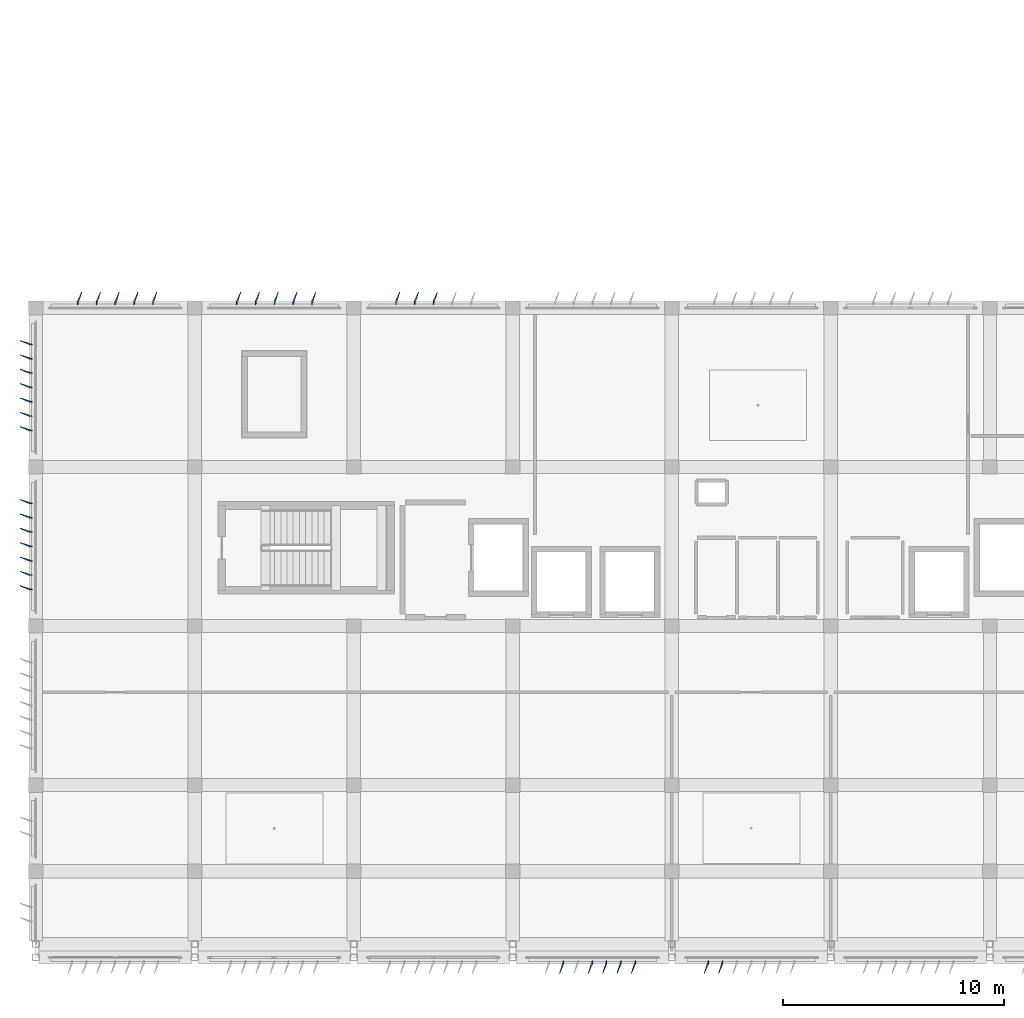
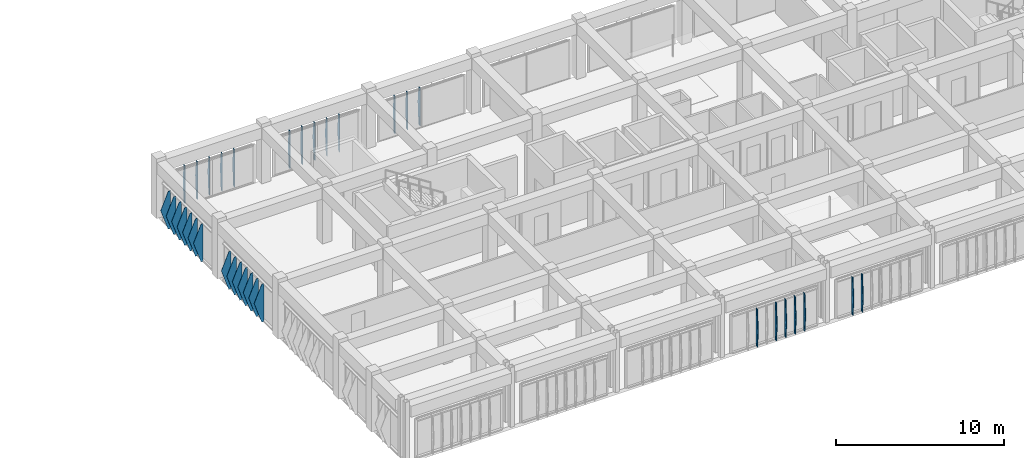
# One storey, part 48 of 53: 34 plates.
"""IFC4 building model written with IfcOpenShell, lengths in metres."""

from ifc_helpers import new_model, si_unit, direction, frame, origin, place, context, subcontext, project, spatial, polygons, material, layer, layer_set, type_object, element, save


model = new_model("IFC4")

# Units and contexts
model_context = context("Model", 3, precision=1e-05, world=origin(), true_north=direction((0.0, 1.0)))
body_context = subcontext(model_context, "Body", "Model", "MODEL_VIEW")
ifc_project = project(units=[si_unit("LENGTHUNIT", "METRE"), si_unit("AREAUNIT", "SQUARE_METRE"), si_unit("VOLUMEUNIT", "CUBIC_METRE"), si_unit("PLANEANGLEUNIT", "RADIAN"), si_unit("MASSUNIT", "GRAM", prefix="KILO")], contexts=[model_context])

# Site, building, storey
site_placement = place(None, origin())
site = spatial("IfcSite", under=ifc_project, at=site_placement, CompositionType="ELEMENT")
building_placement = place(site_placement, origin())
building = spatial("IfcBuilding", under=site, at=building_placement, Name="Kazehaya Institute of Natural Sciences", CompositionType="ELEMENT")
storey_placement = place(building_placement, frame((0.0, 0.0, 33.300048828125)))
storey = spatial("IfcBuildingStorey", under=building, at=storey_placement, Name="L07", CompositionType="ELEMENT", Elevation=33.300048828125)

# Plates
ifc_material = material(Name="Bronze-anodised aluminium alloy A6063S-T5", Category="aluminium")
ifc_layer_1 = layer(ifc_material, 0.02001953125, Name="Bronze-anodised aluminium alloy A6063S-T5", Category="aluminium")
ifc_layer_set_1 = layer_set([ifc_layer_1], Name="Bronze-anodised aluminium alloy A6063S-T5")
plate_type_1 = type_object("IfcPlateType", Name="FIN-DF-E1", PredefinedType="USERDEFINED", material=ifc_layer_set_1)
plate_1_placement = place(storey_placement, origin())
element("IfcPlate", 1, at=plate_1_placement, inside=storey, type_object=plate_type_1, Name="L07 folded diamond-pyramid shading fin FIN-L07-W-0674", ObjectType="SHADING_FIN", PredefinedType="USERDEFINED", context=body_context, shape_type="Tessellation", body=[
    polygons([(54.445068359375, 22.840087890625, 0.0400390625), (54.300048828125, 22.840087890625, 0.0400390625), (53.889892578125, 23.018798828125, 1.409912109375), (54.300048828125, 22.840087890625, 2.780029296875), (54.445068359375, 22.840087890625, 2.780029296875), (54.445068359375, 22.860107421875, 0.0400390625), (54.300048828125, 22.860107421875, 0.0400390625), (53.889892578125, 23.038818359375, 1.409912109375), (54.300048828125, 22.860107421875, 2.780029296875), (54.445068359375, 22.860107421875, 2.780029296875)], [[[1, 5, 4, 3, 2]], [[6, 7, 8, 9, 10]], [[1, 2, 7, 6]], [[2, 3, 8, 7]], [[3, 4, 9, 8]], [[4, 5, 10, 9]], [[5, 1, 6, 10]]], closed=True),
])
plate_2_placement = place(storey_placement, origin())
element("IfcPlate", 2, at=plate_2_placement, inside=storey, type_object=plate_type_1, Name="L07 folded diamond-pyramid shading fin FIN-L07-W-0675", ObjectType="SHADING_FIN", PredefinedType="USERDEFINED", context=body_context, shape_type="Tessellation", body=[
    polygons([(54.445068359375, 23.489990234375, 0.0400390625), (54.300048828125, 23.489990234375, 0.0400390625), (53.889892578125, 23.668701171875, 1.409912109375), (54.300048828125, 23.489990234375, 2.780029296875), (54.445068359375, 23.489990234375, 2.780029296875), (54.445068359375, 23.510009765625, 0.0400390625), (54.300048828125, 23.510009765625, 0.0400390625), (53.889892578125, 23.688720703125, 1.409912109375), (54.300048828125, 23.510009765625, 2.780029296875), (54.445068359375, 23.510009765625, 2.780029296875)], [[[1, 5, 4, 3, 2]], [[6, 7, 8, 9, 10]], [[1, 2, 7, 6]], [[2, 3, 8, 7]], [[3, 4, 9, 8]], [[4, 5, 10, 9]], [[5, 1, 6, 10]]], closed=True),
])
plate_3_placement = place(storey_placement, origin())
element("IfcPlate", 3, at=plate_3_placement, inside=storey, type_object=plate_type_1, Name="L07 folded diamond-pyramid shading fin FIN-L07-W-0676", ObjectType="SHADING_FIN", PredefinedType="USERDEFINED", context=body_context, shape_type="Tessellation", body=[
    polygons([(54.445068359375, 24.139892578125, 0.0400390625), (54.300048828125, 24.139892578125, 0.0400390625), (53.889892578125, 24.318603515625, 1.409912109375), (54.300048828125, 24.139892578125, 2.780029296875), (54.445068359375, 24.139892578125, 2.780029296875), (54.445068359375, 24.159912109375, 0.0400390625), (54.300048828125, 24.159912109375, 0.0400390625), (53.889892578125, 24.338623046875, 1.409912109375), (54.300048828125, 24.159912109375, 2.780029296875), (54.445068359375, 24.159912109375, 2.780029296875)], [[[1, 5, 4, 3, 2]], [[6, 7, 8, 9, 10]], [[1, 2, 7, 6]], [[2, 3, 8, 7]], [[3, 4, 9, 8]], [[4, 5, 10, 9]], [[5, 1, 6, 10]]], closed=True),
])
plate_4_placement = place(storey_placement, origin())
element("IfcPlate", 4, at=plate_4_placement, inside=storey, type_object=plate_type_1, Name="L07 folded diamond-pyramid shading fin FIN-L07-W-0677", ObjectType="SHADING_FIN", PredefinedType="USERDEFINED", context=body_context, shape_type="Tessellation", body=[
    polygons([(54.445068359375, 24.7900390625, 0.0400390625), (54.300048828125, 24.7900390625, 0.0400390625), (53.889892578125, 24.96875, 1.409912109375), (54.300048828125, 24.7900390625, 2.780029296875), (54.445068359375, 24.7900390625, 2.780029296875), (54.445068359375, 24.81005859375, 0.0400390625), (54.300048828125, 24.81005859375, 0.0400390625), (53.889892578125, 24.98876953125, 1.409912109375), (54.300048828125, 24.81005859375, 2.780029296875), (54.445068359375, 24.81005859375, 2.780029296875)], [[[1, 5, 4, 3, 2]], [[6, 7, 8, 9, 10]], [[1, 2, 7, 6]], [[2, 3, 8, 7]], [[3, 4, 9, 8]], [[4, 5, 10, 9]], [[5, 1, 6, 10]]], closed=True),
])
plate_5_placement = place(storey_placement, origin())
element("IfcPlate", 5, at=plate_5_placement, inside=storey, type_object=plate_type_1, Name="L07 folded diamond-pyramid shading fin FIN-L07-W-0678", ObjectType="SHADING_FIN", PredefinedType="USERDEFINED", context=body_context, shape_type="Tessellation", body=[
    polygons([(54.445068359375, 25.43994140625, 0.0400390625), (54.300048828125, 25.43994140625, 0.0400390625), (53.889892578125, 25.61865234375, 1.409912109375), (54.300048828125, 25.43994140625, 2.780029296875), (54.445068359375, 25.43994140625, 2.780029296875), (54.445068359375, 25.4599609375, 0.0400390625), (54.300048828125, 25.4599609375, 0.0400390625), (53.889892578125, 25.638671875, 1.409912109375), (54.300048828125, 25.4599609375, 2.780029296875), (54.445068359375, 25.4599609375, 2.780029296875)], [[[1, 5, 4, 3, 2]], [[6, 7, 8, 9, 10]], [[1, 2, 7, 6]], [[2, 3, 8, 7]], [[3, 4, 9, 8]], [[4, 5, 10, 9]], [[5, 1, 6, 10]]], closed=True),
])
plate_6_placement = place(storey_placement, origin())
element("IfcPlate", 6, at=plate_6_placement, inside=storey, type_object=plate_type_1, Name="L07 folded diamond-pyramid shading fin FIN-L07-W-0679", ObjectType="SHADING_FIN", PredefinedType="USERDEFINED", context=body_context, shape_type="Tessellation", body=[
    polygons([(54.445068359375, 26.090087890625, 0.0400390625), (54.300048828125, 26.090087890625, 0.0400390625), (53.889892578125, 26.268798828125, 1.409912109375), (54.300048828125, 26.090087890625, 2.780029296875), (54.445068359375, 26.090087890625, 2.780029296875), (54.445068359375, 26.110107421875, 0.0400390625), (54.300048828125, 26.110107421875, 0.0400390625), (53.889892578125, 26.288818359375, 1.409912109375), (54.300048828125, 26.110107421875, 2.780029296875), (54.445068359375, 26.110107421875, 2.780029296875)], [[[1, 5, 4, 3, 2]], [[6, 7, 8, 9, 10]], [[1, 2, 7, 6]], [[2, 3, 8, 7]], [[3, 4, 9, 8]], [[4, 5, 10, 9]], [[5, 1, 6, 10]]], closed=True),
])
plate_7_placement = place(storey_placement, origin())
element("IfcPlate", 7, at=plate_7_placement, inside=storey, type_object=plate_type_1, Name="L07 folded diamond-pyramid shading fin FIN-L07-W-0680", ObjectType="SHADING_FIN", PredefinedType="USERDEFINED", context=body_context, shape_type="Tessellation", body=[
    polygons([(54.445068359375, 26.739990234375, 0.0400390625), (54.300048828125, 26.739990234375, 0.0400390625), (53.889892578125, 26.918701171875, 1.409912109375), (54.300048828125, 26.739990234375, 2.780029296875), (54.445068359375, 26.739990234375, 2.780029296875), (54.445068359375, 26.760009765625, 0.0400390625), (54.300048828125, 26.760009765625, 0.0400390625), (53.889892578125, 26.938720703125, 1.409912109375), (54.300048828125, 26.760009765625, 2.780029296875), (54.445068359375, 26.760009765625, 2.780029296875)], [[[1, 5, 4, 3, 2]], [[6, 7, 8, 9, 10]], [[1, 2, 7, 6]], [[2, 3, 8, 7]], [[3, 4, 9, 8]], [[4, 5, 10, 9]], [[5, 1, 6, 10]]], closed=True),
])
plate_8_placement = place(storey_placement, origin())
element("IfcPlate", 8, at=plate_8_placement, inside=storey, type_object=plate_type_1, Name="L07 folded diamond-pyramid shading fin FIN-L07-W-0688", ObjectType="SHADING_FIN", PredefinedType="USERDEFINED", context=body_context, shape_type="Tessellation", body=[
    polygons([(54.445068359375, 30.0400390625, 0.0400390625), (54.300048828125, 30.0400390625, 0.0400390625), (53.889892578125, 30.21875, 1.409912109375), (54.300048828125, 30.0400390625, 2.780029296875), (54.445068359375, 30.0400390625, 2.780029296875), (54.445068359375, 30.06005859375, 0.0400390625), (54.300048828125, 30.06005859375, 0.0400390625), (53.889892578125, 30.23876953125, 1.409912109375), (54.300048828125, 30.06005859375, 2.780029296875), (54.445068359375, 30.06005859375, 2.780029296875)], [[[1, 5, 4, 3, 2]], [[6, 7, 8, 9, 10]], [[1, 2, 7, 6]], [[2, 3, 8, 7]], [[3, 4, 9, 8]], [[4, 5, 10, 9]], [[5, 1, 6, 10]]], closed=True),
])
plate_9_placement = place(storey_placement, origin())
element("IfcPlate", 9, at=plate_9_placement, inside=storey, type_object=plate_type_1, Name="L07 folded diamond-pyramid shading fin FIN-L07-W-0689", ObjectType="SHADING_FIN", PredefinedType="USERDEFINED", context=body_context, shape_type="Tessellation", body=[
    polygons([(54.445068359375, 30.68994140625, 0.0400390625), (54.300048828125, 30.68994140625, 0.0400390625), (53.889892578125, 30.86865234375, 1.409912109375), (54.300048828125, 30.68994140625, 2.780029296875), (54.445068359375, 30.68994140625, 2.780029296875), (54.445068359375, 30.7099609375, 0.0400390625), (54.300048828125, 30.7099609375, 0.0400390625), (53.889892578125, 30.888671875, 1.409912109375), (54.300048828125, 30.7099609375, 2.780029296875), (54.445068359375, 30.7099609375, 2.780029296875)], [[[1, 5, 4, 3, 2]], [[6, 7, 8, 9, 10]], [[1, 2, 7, 6]], [[2, 3, 8, 7]], [[3, 4, 9, 8]], [[4, 5, 10, 9]], [[5, 1, 6, 10]]], closed=True),
])
plate_10_placement = place(storey_placement, origin())
element("IfcPlate", 10, at=plate_10_placement, inside=storey, type_object=plate_type_1, Name="L07 folded diamond-pyramid shading fin FIN-L07-W-0690", ObjectType="SHADING_FIN", PredefinedType="USERDEFINED", context=body_context, shape_type="Tessellation", body=[
    polygons([(54.445068359375, 31.340087890625, 0.0400390625), (54.300048828125, 31.340087890625, 0.0400390625), (53.889892578125, 31.518798828125, 1.409912109375), (54.300048828125, 31.340087890625, 2.780029296875), (54.445068359375, 31.340087890625, 2.780029296875), (54.445068359375, 31.360107421875, 0.0400390625), (54.300048828125, 31.360107421875, 0.0400390625), (53.889892578125, 31.538818359375, 1.409912109375), (54.300048828125, 31.360107421875, 2.780029296875), (54.445068359375, 31.360107421875, 2.780029296875)], [[[1, 5, 4, 3, 2]], [[6, 7, 8, 9, 10]], [[1, 2, 7, 6]], [[2, 3, 8, 7]], [[3, 4, 9, 8]], [[4, 5, 10, 9]], [[5, 1, 6, 10]]], closed=True),
])
plate_11_placement = place(storey_placement, origin())
element("IfcPlate", 11, at=plate_11_placement, inside=storey, type_object=plate_type_1, Name="L07 folded diamond-pyramid shading fin FIN-L07-W-0691", ObjectType="SHADING_FIN", PredefinedType="USERDEFINED", context=body_context, shape_type="Tessellation", body=[
    polygons([(54.445068359375, 31.989990234375, 0.0400390625), (54.300048828125, 31.989990234375, 0.0400390625), (53.889892578125, 32.168701171875, 1.409912109375), (54.300048828125, 31.989990234375, 2.780029296875), (54.445068359375, 31.989990234375, 2.780029296875), (54.445068359375, 32.010009765625, 0.0400390625), (54.300048828125, 32.010009765625, 0.0400390625), (53.889892578125, 32.188720703125, 1.409912109375), (54.300048828125, 32.010009765625, 2.780029296875), (54.445068359375, 32.010009765625, 2.780029296875)], [[[1, 5, 4, 3, 2]], [[6, 7, 8, 9, 10]], [[1, 2, 7, 6]], [[2, 3, 8, 7]], [[3, 4, 9, 8]], [[4, 5, 10, 9]], [[5, 1, 6, 10]]], closed=True),
])
plate_12_placement = place(storey_placement, origin())
element("IfcPlate", 12, at=plate_12_placement, inside=storey, type_object=plate_type_1, Name="L07 folded diamond-pyramid shading fin FIN-L07-W-0692", ObjectType="SHADING_FIN", PredefinedType="USERDEFINED", context=body_context, shape_type="Tessellation", body=[
    polygons([(54.445068359375, 32.639892578125, 0.0400390625), (54.300048828125, 32.639892578125, 0.0400390625), (53.889892578125, 32.818603515625, 1.409912109375), (54.300048828125, 32.639892578125, 2.780029296875), (54.445068359375, 32.639892578125, 2.780029296875), (54.445068359375, 32.659912109375, 0.0400390625), (54.300048828125, 32.659912109375, 0.0400390625), (53.889892578125, 32.838623046875, 1.409912109375), (54.300048828125, 32.659912109375, 2.780029296875), (54.445068359375, 32.659912109375, 2.780029296875)], [[[1, 5, 4, 3, 2]], [[6, 7, 8, 9, 10]], [[1, 2, 7, 6]], [[2, 3, 8, 7]], [[3, 4, 9, 8]], [[4, 5, 10, 9]], [[5, 1, 6, 10]]], closed=True),
])
plate_13_placement = place(storey_placement, origin())
element("IfcPlate", 13, at=plate_13_placement, inside=storey, type_object=plate_type_1, Name="L07 folded diamond-pyramid shading fin FIN-L07-W-0693", ObjectType="SHADING_FIN", PredefinedType="USERDEFINED", context=body_context, shape_type="Tessellation", body=[
    polygons([(54.445068359375, 33.2900390625, 0.0400390625), (54.300048828125, 33.2900390625, 0.0400390625), (53.889892578125, 33.46875, 1.409912109375), (54.300048828125, 33.2900390625, 2.780029296875), (54.445068359375, 33.2900390625, 2.780029296875), (54.445068359375, 33.31005859375, 0.0400390625), (54.300048828125, 33.31005859375, 0.0400390625), (53.889892578125, 33.48876953125, 1.409912109375), (54.300048828125, 33.31005859375, 2.780029296875), (54.445068359375, 33.31005859375, 2.780029296875)], [[[1, 5, 4, 3, 2]], [[6, 7, 8, 9, 10]], [[1, 2, 7, 6]], [[2, 3, 8, 7]], [[3, 4, 9, 8]], [[4, 5, 10, 9]], [[5, 1, 6, 10]]], closed=True),
])
plate_14_placement = place(storey_placement, origin())
element("IfcPlate", 14, at=plate_14_placement, inside=storey, type_object=plate_type_1, Name="L07 folded diamond-pyramid shading fin FIN-L07-W-0694", ObjectType="SHADING_FIN", PredefinedType="USERDEFINED", context=body_context, shape_type="Tessellation", body=[
    polygons([(54.445068359375, 33.93994140625, 0.0400390625), (54.300048828125, 33.93994140625, 0.0400390625), (53.889892578125, 34.11865234375, 1.409912109375), (54.300048828125, 33.93994140625, 2.780029296875), (54.445068359375, 33.93994140625, 2.780029296875), (54.445068359375, 33.9599609375, 0.0400390625), (54.300048828125, 33.9599609375, 0.0400390625), (53.889892578125, 34.138671875, 1.409912109375), (54.300048828125, 33.9599609375, 2.780029296875), (54.445068359375, 33.9599609375, 2.780029296875)], [[[1, 5, 4, 3, 2]], [[6, 7, 8, 9, 10]], [[1, 2, 7, 6]], [[2, 3, 8, 7]], [[3, 4, 9, 8]], [[4, 5, 10, 9]], [[5, 1, 6, 10]]], closed=True),
])
ifc_layer_2 = layer(ifc_material, 0.02001953125, Name="Bronze-anodised aluminium alloy A6063S-T5", Category="aluminium")
ifc_layer_set_2 = layer_set([ifc_layer_2], Name="Bronze-anodised aluminium alloy A6063S-T5")
plate_type_2 = type_object("IfcPlateType", Name="FIN-DF-N1", PredefinedType="USERDEFINED", material=ifc_layer_set_2)
plate_15_placement = place(storey_placement, origin())
element("IfcPlate", 15, at=plate_15_placement, inside=storey, type_object=plate_type_2, Name="L07 folded diamond-pyramid shading fin FIN-L07-N-0607", ObjectType="SHADING_FIN", PredefinedType="USERDEFINED", context=body_context, shape_type="Tessellation", body=[
    polygons([(56.489990234375, 35.7548828125, 0.0400390625), (56.489990234375, 35.89990234375, 0.0400390625), (56.668701171875, 36.31005859375, 1.409912109375), (56.489990234375, 35.89990234375, 2.780029296875), (56.489990234375, 35.7548828125, 2.780029296875), (56.510009765625, 35.7548828125, 0.0400390625), (56.510009765625, 35.89990234375, 0.0400390625), (56.688720703125, 36.31005859375, 1.409912109375), (56.510009765625, 35.89990234375, 2.780029296875), (56.510009765625, 35.7548828125, 2.780029296875)], [[[1, 5, 4, 3, 2]], [[6, 7, 8, 9, 10]], [[1, 2, 7, 6]], [[2, 3, 8, 7]], [[3, 4, 9, 8]], [[4, 5, 10, 9]], [[5, 1, 6, 10]]], closed=True),
])
plate_16_placement = place(storey_placement, origin())
element("IfcPlate", 16, at=plate_16_placement, inside=storey, type_object=plate_type_2, Name="L07 folded diamond-pyramid shading fin FIN-L07-N-0608", ObjectType="SHADING_FIN", PredefinedType="USERDEFINED", context=body_context, shape_type="Tessellation", body=[
    polygons([(57.340087890625, 35.7548828125, 0.0400390625), (57.340087890625, 35.89990234375, 0.0400390625), (57.518798828125, 36.31005859375, 1.409912109375), (57.340087890625, 35.89990234375, 2.780029296875), (57.340087890625, 35.7548828125, 2.780029296875), (57.360107421875, 35.7548828125, 0.0400390625), (57.360107421875, 35.89990234375, 0.0400390625), (57.538818359375, 36.31005859375, 1.409912109375), (57.360107421875, 35.89990234375, 2.780029296875), (57.360107421875, 35.7548828125, 2.780029296875)], [[[1, 5, 4, 3, 2]], [[6, 7, 8, 9, 10]], [[1, 2, 7, 6]], [[2, 3, 8, 7]], [[3, 4, 9, 8]], [[4, 5, 10, 9]], [[5, 1, 6, 10]]], closed=True),
])
plate_17_placement = place(storey_placement, origin())
element("IfcPlate", 17, at=plate_17_placement, inside=storey, type_object=plate_type_2, Name="L07 folded diamond-pyramid shading fin FIN-L07-N-0609", ObjectType="SHADING_FIN", PredefinedType="USERDEFINED", context=body_context, shape_type="Tessellation", body=[
    polygons([(58.18994140625, 35.7548828125, 0.0400390625), (58.18994140625, 35.89990234375, 0.0400390625), (58.36865234375, 36.31005859375, 1.409912109375), (58.18994140625, 35.89990234375, 2.780029296875), (58.18994140625, 35.7548828125, 2.780029296875), (58.2099609375, 35.7548828125, 0.0400390625), (58.2099609375, 35.89990234375, 0.0400390625), (58.388671875, 36.31005859375, 1.409912109375), (58.2099609375, 35.89990234375, 2.780029296875), (58.2099609375, 35.7548828125, 2.780029296875)], [[[1, 5, 4, 3, 2]], [[6, 7, 8, 9, 10]], [[1, 2, 7, 6]], [[2, 3, 8, 7]], [[3, 4, 9, 8]], [[4, 5, 10, 9]], [[5, 1, 6, 10]]], closed=True),
])
plate_18_placement = place(storey_placement, origin())
element("IfcPlate", 18, at=plate_18_placement, inside=storey, type_object=plate_type_2, Name="L07 folded diamond-pyramid shading fin FIN-L07-N-0610", ObjectType="SHADING_FIN", PredefinedType="USERDEFINED", context=body_context, shape_type="Tessellation", body=[
    polygons([(59.0400390625, 35.7548828125, 0.0400390625), (59.0400390625, 35.89990234375, 0.0400390625), (59.21875, 36.31005859375, 1.409912109375), (59.0400390625, 35.89990234375, 2.780029296875), (59.0400390625, 35.7548828125, 2.780029296875), (59.06005859375, 35.7548828125, 0.0400390625), (59.06005859375, 35.89990234375, 0.0400390625), (59.23876953125, 36.31005859375, 1.409912109375), (59.06005859375, 35.89990234375, 2.780029296875), (59.06005859375, 35.7548828125, 2.780029296875)], [[[1, 5, 4, 3, 2]], [[6, 7, 8, 9, 10]], [[1, 2, 7, 6]], [[2, 3, 8, 7]], [[3, 4, 9, 8]], [[4, 5, 10, 9]], [[5, 1, 6, 10]]], closed=True),
])
plate_19_placement = place(storey_placement, origin())
element("IfcPlate", 19, at=plate_19_placement, inside=storey, type_object=plate_type_2, Name="L07 folded diamond-pyramid shading fin FIN-L07-N-0611", ObjectType="SHADING_FIN", PredefinedType="USERDEFINED", context=body_context, shape_type="Tessellation", body=[
    polygons([(59.889892578125, 35.7548828125, 0.0400390625), (59.889892578125, 35.89990234375, 0.0400390625), (60.068603515625, 36.31005859375, 1.409912109375), (59.889892578125, 35.89990234375, 2.780029296875), (59.889892578125, 35.7548828125, 2.780029296875), (59.909912109375, 35.7548828125, 0.0400390625), (59.909912109375, 35.89990234375, 0.0400390625), (60.088623046875, 36.31005859375, 1.409912109375), (59.909912109375, 35.89990234375, 2.780029296875), (59.909912109375, 35.7548828125, 2.780029296875)], [[[1, 5, 4, 3, 2]], [[6, 7, 8, 9, 10]], [[1, 2, 7, 6]], [[2, 3, 8, 7]], [[3, 4, 9, 8]], [[4, 5, 10, 9]], [[5, 1, 6, 10]]], closed=True),
])
plate_20_placement = place(storey_placement, origin())
element("IfcPlate", 20, at=plate_20_placement, inside=storey, type_object=plate_type_2, Name="L07 folded diamond-pyramid shading fin FIN-L07-N-0612", ObjectType="SHADING_FIN", PredefinedType="USERDEFINED", context=body_context, shape_type="Tessellation", body=[
    polygons([(63.68994140625, 35.7548828125, 0.0400390625), (63.68994140625, 35.89990234375, 0.0400390625), (63.86865234375, 36.31005859375, 1.409912109375), (63.68994140625, 35.89990234375, 2.780029296875), (63.68994140625, 35.7548828125, 2.780029296875), (63.7099609375, 35.7548828125, 0.0400390625), (63.7099609375, 35.89990234375, 0.0400390625), (63.888671875, 36.31005859375, 1.409912109375), (63.7099609375, 35.89990234375, 2.780029296875), (63.7099609375, 35.7548828125, 2.780029296875)], [[[1, 5, 4, 3, 2]], [[6, 7, 8, 9, 10]], [[1, 2, 7, 6]], [[2, 3, 8, 7]], [[3, 4, 9, 8]], [[4, 5, 10, 9]], [[5, 1, 6, 10]]], closed=True),
])
plate_21_placement = place(storey_placement, origin())
element("IfcPlate", 21, at=plate_21_placement, inside=storey, type_object=plate_type_2, Name="L07 folded diamond-pyramid shading fin FIN-L07-N-0613", ObjectType="SHADING_FIN", PredefinedType="USERDEFINED", context=body_context, shape_type="Tessellation", body=[
    polygons([(64.5400390625, 35.7548828125, 0.0400390625), (64.5400390625, 35.89990234375, 0.0400390625), (64.71875, 36.31005859375, 1.409912109375), (64.5400390625, 35.89990234375, 2.780029296875), (64.5400390625, 35.7548828125, 2.780029296875), (64.56005859375, 35.7548828125, 0.0400390625), (64.56005859375, 35.89990234375, 0.0400390625), (64.73876953125, 36.31005859375, 1.409912109375), (64.56005859375, 35.89990234375, 2.780029296875), (64.56005859375, 35.7548828125, 2.780029296875)], [[[1, 5, 4, 3, 2]], [[6, 7, 8, 9, 10]], [[1, 2, 7, 6]], [[2, 3, 8, 7]], [[3, 4, 9, 8]], [[4, 5, 10, 9]], [[5, 1, 6, 10]]], closed=True),
])
plate_22_placement = place(storey_placement, origin())
element("IfcPlate", 22, at=plate_22_placement, inside=storey, type_object=plate_type_2, Name="L07 folded diamond-pyramid shading fin FIN-L07-N-0614", ObjectType="SHADING_FIN", PredefinedType="USERDEFINED", context=body_context, shape_type="Tessellation", body=[
    polygons([(65.389892578125, 35.7548828125, 0.0400390625), (65.389892578125, 35.89990234375, 0.0400390625), (65.568603515625, 36.31005859375, 1.409912109375), (65.389892578125, 35.89990234375, 2.780029296875), (65.389892578125, 35.7548828125, 2.780029296875), (65.409912109375, 35.7548828125, 0.0400390625), (65.409912109375, 35.89990234375, 0.0400390625), (65.588623046875, 36.31005859375, 1.409912109375), (65.409912109375, 35.89990234375, 2.780029296875), (65.409912109375, 35.7548828125, 2.780029296875)], [[[1, 5, 4, 3, 2]], [[6, 7, 8, 9, 10]], [[1, 2, 7, 6]], [[2, 3, 8, 7]], [[3, 4, 9, 8]], [[4, 5, 10, 9]], [[5, 1, 6, 10]]], closed=True),
])
plate_23_placement = place(storey_placement, origin())
element("IfcPlate", 23, at=plate_23_placement, inside=storey, type_object=plate_type_2, Name="L07 folded diamond-pyramid shading fin FIN-L07-N-0615", ObjectType="SHADING_FIN", PredefinedType="USERDEFINED", context=body_context, shape_type="Tessellation", body=[
    polygons([(66.239990234375, 35.7548828125, 0.0400390625), (66.239990234375, 35.89990234375, 0.0400390625), (66.418701171875, 36.31005859375, 1.409912109375), (66.239990234375, 35.89990234375, 2.780029296875), (66.239990234375, 35.7548828125, 2.780029296875), (66.260009765625, 35.7548828125, 0.0400390625), (66.260009765625, 35.89990234375, 0.0400390625), (66.438720703125, 36.31005859375, 1.409912109375), (66.260009765625, 35.89990234375, 2.780029296875), (66.260009765625, 35.7548828125, 2.780029296875)], [[[1, 5, 4, 3, 2]], [[6, 7, 8, 9, 10]], [[1, 2, 7, 6]], [[2, 3, 8, 7]], [[3, 4, 9, 8]], [[4, 5, 10, 9]], [[5, 1, 6, 10]]], closed=True),
])
plate_24_placement = place(storey_placement, origin())
element("IfcPlate", 24, at=plate_24_placement, inside=storey, type_object=plate_type_2, Name="L07 folded diamond-pyramid shading fin FIN-L07-N-0616", ObjectType="SHADING_FIN", PredefinedType="USERDEFINED", context=body_context, shape_type="Tessellation", body=[
    polygons([(67.090087890625, 35.7548828125, 0.0400390625), (67.090087890625, 35.89990234375, 0.0400390625), (67.268798828125, 36.31005859375, 1.409912109375), (67.090087890625, 35.89990234375, 2.780029296875), (67.090087890625, 35.7548828125, 2.780029296875), (67.110107421875, 35.7548828125, 0.0400390625), (67.110107421875, 35.89990234375, 0.0400390625), (67.288818359375, 36.31005859375, 1.409912109375), (67.110107421875, 35.89990234375, 2.780029296875), (67.110107421875, 35.7548828125, 2.780029296875)], [[[1, 5, 4, 3, 2]], [[6, 7, 8, 9, 10]], [[1, 2, 7, 6]], [[2, 3, 8, 7]], [[3, 4, 9, 8]], [[4, 5, 10, 9]], [[5, 1, 6, 10]]], closed=True),
])
plate_25_placement = place(storey_placement, origin())
element("IfcPlate", 25, at=plate_25_placement, inside=storey, type_object=plate_type_2, Name="L07 folded diamond-pyramid shading fin FIN-L07-N-0617", ObjectType="SHADING_FIN", PredefinedType="USERDEFINED", context=body_context, shape_type="Tessellation", body=[
    polygons([(70.889892578125, 35.7548828125, 0.0400390625), (70.889892578125, 35.89990234375, 0.0400390625), (71.068603515625, 36.31005859375, 1.409912109375), (70.889892578125, 35.89990234375, 2.780029296875), (70.889892578125, 35.7548828125, 2.780029296875), (70.909912109375, 35.7548828125, 0.0400390625), (70.909912109375, 35.89990234375, 0.0400390625), (71.088623046875, 36.31005859375, 1.409912109375), (70.909912109375, 35.89990234375, 2.780029296875), (70.909912109375, 35.7548828125, 2.780029296875)], [[[1, 5, 4, 3, 2]], [[6, 7, 8, 9, 10]], [[1, 2, 7, 6]], [[2, 3, 8, 7]], [[3, 4, 9, 8]], [[4, 5, 10, 9]], [[5, 1, 6, 10]]], closed=True),
])
plate_26_placement = place(storey_placement, origin())
element("IfcPlate", 26, at=plate_26_placement, inside=storey, type_object=plate_type_2, Name="L07 folded diamond-pyramid shading fin FIN-L07-N-0618", ObjectType="SHADING_FIN", PredefinedType="USERDEFINED", context=body_context, shape_type="Tessellation", body=[
    polygons([(71.739990234375, 35.7548828125, 0.0400390625), (71.739990234375, 35.89990234375, 0.0400390625), (71.918701171875, 36.31005859375, 1.409912109375), (71.739990234375, 35.89990234375, 2.780029296875), (71.739990234375, 35.7548828125, 2.780029296875), (71.760009765625, 35.7548828125, 0.0400390625), (71.760009765625, 35.89990234375, 0.0400390625), (71.938720703125, 36.31005859375, 1.409912109375), (71.760009765625, 35.89990234375, 2.780029296875), (71.760009765625, 35.7548828125, 2.780029296875)], [[[1, 5, 4, 3, 2]], [[6, 7, 8, 9, 10]], [[1, 2, 7, 6]], [[2, 3, 8, 7]], [[3, 4, 9, 8]], [[4, 5, 10, 9]], [[5, 1, 6, 10]]], closed=True),
])
plate_27_placement = place(storey_placement, origin())
element("IfcPlate", 27, at=plate_27_placement, inside=storey, type_object=plate_type_2, Name="L07 folded diamond-pyramid shading fin FIN-L07-N-0619", ObjectType="SHADING_FIN", PredefinedType="USERDEFINED", context=body_context, shape_type="Tessellation", body=[
    polygons([(72.590087890625, 35.7548828125, 0.0400390625), (72.590087890625, 35.89990234375, 0.0400390625), (72.768798828125, 36.31005859375, 1.409912109375), (72.590087890625, 35.89990234375, 2.780029296875), (72.590087890625, 35.7548828125, 2.780029296875), (72.610107421875, 35.7548828125, 0.0400390625), (72.610107421875, 35.89990234375, 0.0400390625), (72.788818359375, 36.31005859375, 1.409912109375), (72.610107421875, 35.89990234375, 2.780029296875), (72.610107421875, 35.7548828125, 2.780029296875)], [[[1, 5, 4, 3, 2]], [[6, 7, 8, 9, 10]], [[1, 2, 7, 6]], [[2, 3, 8, 7]], [[3, 4, 9, 8]], [[4, 5, 10, 9]], [[5, 1, 6, 10]]], closed=True),
])
ifc_layer_3 = layer(ifc_material, 0.02001953125, Name="Bronze-anodised aluminium alloy A6063S-T5", Category="aluminium")
ifc_layer_set_3 = layer_set([ifc_layer_3], Name="Bronze-anodised aluminium alloy A6063S-T5")
plate_type_3 = type_object("IfcPlateType", Name="FIN-DF-S1", PredefinedType="USERDEFINED", material=ifc_layer_set_3)
plate_28_placement = place(storey_placement, origin())
element("IfcPlate", 28, at=plate_28_placement, inside=storey, type_object=plate_type_3, Name="L07 folded diamond-pyramid shading fin FIN-L07-S-0577", ObjectType="SHADING_FIN", PredefinedType="USERDEFINED", context=body_context, shape_type="Tessellation", body=[
    polygons([(85.7099609375, 6.044921875, 0.0400390625), (85.7099609375, 5.89990234375, 0.0400390625), (85.53125, 5.489990234375, 1.409912109375), (85.7099609375, 5.89990234375, 2.780029296875), (85.7099609375, 6.044921875, 2.780029296875), (85.68994140625, 6.044921875, 0.0400390625), (85.68994140625, 5.89990234375, 0.0400390625), (85.51123046875, 5.489990234375, 1.409912109375), (85.68994140625, 5.89990234375, 2.780029296875), (85.68994140625, 6.044921875, 2.780029296875)], [[[1, 5, 4, 3, 2]], [[6, 7, 8, 9, 10]], [[1, 2, 7, 6]], [[2, 3, 8, 7]], [[3, 4, 9, 8]], [[4, 5, 10, 9]], [[5, 1, 6, 10]]], closed=True),
])
plate_29_placement = place(storey_placement, origin())
element("IfcPlate", 29, at=plate_29_placement, inside=storey, type_object=plate_type_3, Name="L07 folded diamond-pyramid shading fin FIN-L07-S-0578", ObjectType="SHADING_FIN", PredefinedType="USERDEFINED", context=body_context, shape_type="Tessellation", body=[
    polygons([(85.06005859375, 6.044921875, 0.0400390625), (85.06005859375, 5.89990234375, 0.0400390625), (84.88134765625, 5.489990234375, 1.409912109375), (85.06005859375, 5.89990234375, 2.780029296875), (85.06005859375, 6.044921875, 2.780029296875), (85.0400390625, 6.044921875, 0.0400390625), (85.0400390625, 5.89990234375, 0.0400390625), (84.861328125, 5.489990234375, 1.409912109375), (85.0400390625, 5.89990234375, 2.780029296875), (85.0400390625, 6.044921875, 2.780029296875)], [[[1, 5, 4, 3, 2]], [[6, 7, 8, 9, 10]], [[1, 2, 7, 6]], [[2, 3, 8, 7]], [[3, 4, 9, 8]], [[4, 5, 10, 9]], [[5, 1, 6, 10]]], closed=True),
])
plate_30_placement = place(storey_placement, origin())
element("IfcPlate", 30, at=plate_30_placement, inside=storey, type_object=plate_type_3, Name="L07 folded diamond-pyramid shading fin FIN-L07-S-0579", ObjectType="SHADING_FIN", PredefinedType="USERDEFINED", context=body_context, shape_type="Tessellation", body=[
    polygons([(81.760009765625, 6.044921875, 0.0400390625), (81.760009765625, 5.89990234375, 0.0400390625), (81.581298828125, 5.489990234375, 1.409912109375), (81.760009765625, 5.89990234375, 2.780029296875), (81.760009765625, 6.044921875, 2.780029296875), (81.739990234375, 6.044921875, 0.0400390625), (81.739990234375, 5.89990234375, 0.0400390625), (81.561279296875, 5.489990234375, 1.409912109375), (81.739990234375, 5.89990234375, 2.780029296875), (81.739990234375, 6.044921875, 2.780029296875)], [[[1, 5, 4, 3, 2]], [[6, 7, 8, 9, 10]], [[1, 2, 7, 6]], [[2, 3, 8, 7]], [[3, 4, 9, 8]], [[4, 5, 10, 9]], [[5, 1, 6, 10]]], closed=True),
])
plate_31_placement = place(storey_placement, origin())
element("IfcPlate", 31, at=plate_31_placement, inside=storey, type_object=plate_type_3, Name="L07 folded diamond-pyramid shading fin FIN-L07-S-0580", ObjectType="SHADING_FIN", PredefinedType="USERDEFINED", context=body_context, shape_type="Tessellation", body=[
    polygons([(81.110107421875, 6.044921875, 0.0400390625), (81.110107421875, 5.89990234375, 0.0400390625), (80.931396484375, 5.489990234375, 1.409912109375), (81.110107421875, 5.89990234375, 2.780029296875), (81.110107421875, 6.044921875, 2.780029296875), (81.090087890625, 6.044921875, 0.0400390625), (81.090087890625, 5.89990234375, 0.0400390625), (80.911376953125, 5.489990234375, 1.409912109375), (81.090087890625, 5.89990234375, 2.780029296875), (81.090087890625, 6.044921875, 2.780029296875)], [[[1, 5, 4, 3, 2]], [[6, 7, 8, 9, 10]], [[1, 2, 7, 6]], [[2, 3, 8, 7]], [[3, 4, 9, 8]], [[4, 5, 10, 9]], [[5, 1, 6, 10]]], closed=True),
])
plate_32_placement = place(storey_placement, origin())
element("IfcPlate", 32, at=plate_32_placement, inside=storey, type_object=plate_type_3, Name="L07 folded diamond-pyramid shading fin FIN-L07-S-0581", ObjectType="SHADING_FIN", PredefinedType="USERDEFINED", context=body_context, shape_type="Tessellation", body=[
    polygons([(80.4599609375, 6.044921875, 0.0400390625), (80.4599609375, 5.89990234375, 0.0400390625), (80.28125, 5.489990234375, 1.409912109375), (80.4599609375, 5.89990234375, 2.780029296875), (80.4599609375, 6.044921875, 2.780029296875), (80.43994140625, 6.044921875, 0.0400390625), (80.43994140625, 5.89990234375, 0.0400390625), (80.26123046875, 5.489990234375, 1.409912109375), (80.43994140625, 5.89990234375, 2.780029296875), (80.43994140625, 6.044921875, 2.780029296875)], [[[1, 5, 4, 3, 2]], [[6, 7, 8, 9, 10]], [[1, 2, 7, 6]], [[2, 3, 8, 7]], [[3, 4, 9, 8]], [[4, 5, 10, 9]], [[5, 1, 6, 10]]], closed=True),
])
plate_33_placement = place(storey_placement, origin())
element("IfcPlate", 33, at=plate_33_placement, inside=storey, type_object=plate_type_3, Name="L07 folded diamond-pyramid shading fin FIN-L07-S-0582", ObjectType="SHADING_FIN", PredefinedType="USERDEFINED", context=body_context, shape_type="Tessellation", body=[
    polygons([(79.81005859375, 6.044921875, 0.0400390625), (79.81005859375, 5.89990234375, 0.0400390625), (79.63134765625, 5.489990234375, 1.409912109375), (79.81005859375, 5.89990234375, 2.780029296875), (79.81005859375, 6.044921875, 2.780029296875), (79.7900390625, 6.044921875, 0.0400390625), (79.7900390625, 5.89990234375, 0.0400390625), (79.611328125, 5.489990234375, 1.409912109375), (79.7900390625, 5.89990234375, 2.780029296875), (79.7900390625, 6.044921875, 2.780029296875)], [[[1, 5, 4, 3, 2]], [[6, 7, 8, 9, 10]], [[1, 2, 7, 6]], [[2, 3, 8, 7]], [[3, 4, 9, 8]], [[4, 5, 10, 9]], [[5, 1, 6, 10]]], closed=True),
])
plate_34_placement = place(storey_placement, origin())
element("IfcPlate", 34, at=plate_34_placement, inside=storey, type_object=plate_type_3, Name="L07 folded diamond-pyramid shading fin FIN-L07-S-0584", ObjectType="SHADING_FIN", PredefinedType="USERDEFINED", context=body_context, shape_type="Tessellation", body=[
    polygons([(78.510009765625, 6.044921875, 0.0400390625), (78.510009765625, 5.89990234375, 0.0400390625), (78.331298828125, 5.489990234375, 1.409912109375), (78.510009765625, 5.89990234375, 2.780029296875), (78.510009765625, 6.044921875, 2.780029296875), (78.489990234375, 6.044921875, 0.0400390625), (78.489990234375, 5.89990234375, 0.0400390625), (78.311279296875, 5.489990234375, 1.409912109375), (78.489990234375, 5.89990234375, 2.780029296875), (78.489990234375, 6.044921875, 2.780029296875)], [[[1, 5, 4, 3, 2]], [[6, 7, 8, 9, 10]], [[1, 2, 7, 6]], [[2, 3, 8, 7]], [[3, 4, 9, 8]], [[4, 5, 10, 9]], [[5, 1, 6, 10]]], closed=True),
])

save(model, "model.ifc")
